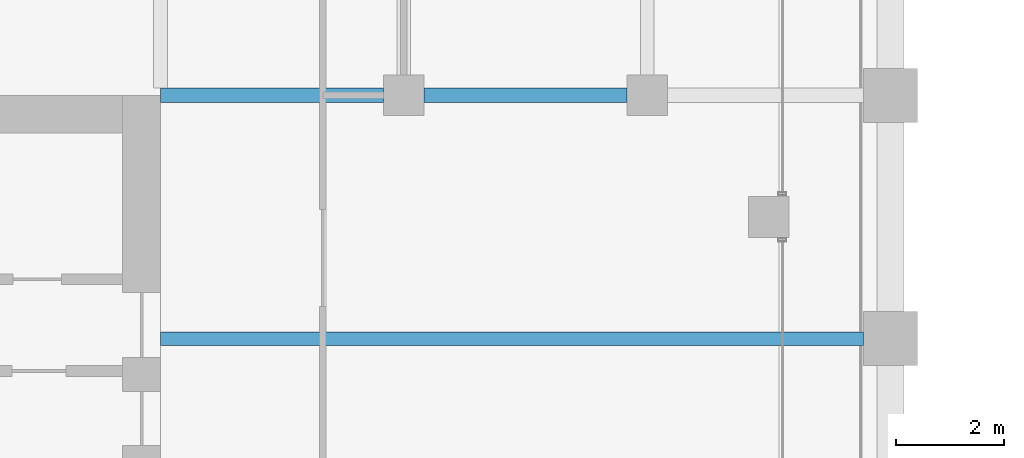
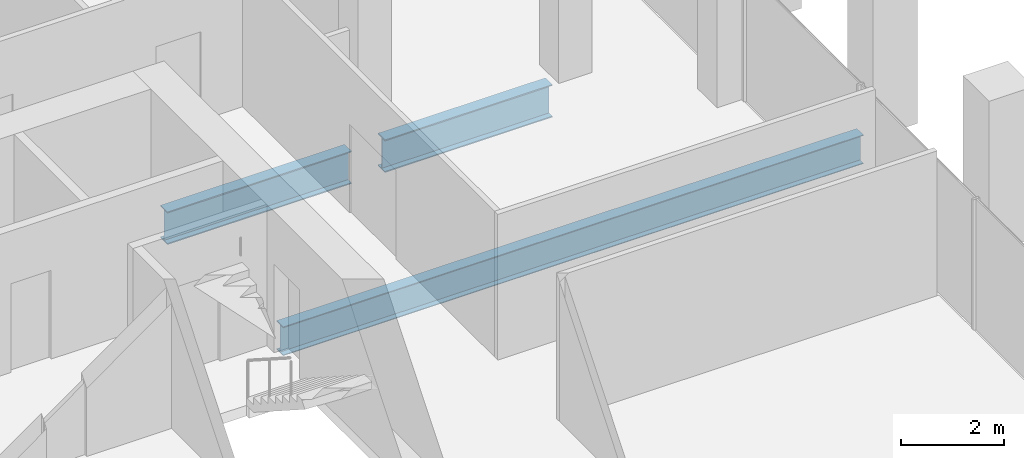
# One storey, part 18 of 46: 3 beams.
"""IFC4 building model written with IfcOpenShell, lengths in metres."""

from ifc_helpers import new_model, si_unit, direction, frame, origin, origin_2d, place, context, subcontext, project, spatial, i_section, extrude, material, material_profile, profile_set, type_object, element, save


model = new_model("IFC4")

# Units and contexts
model_context = context("Model", 3, precision=1e-05, world=origin(), true_north=direction((0.0, 1.0)))
body_context = subcontext(model_context, "Body", "Model", "MODEL_VIEW")
ifc_project = project(units=[si_unit("LENGTHUNIT", "METRE"), si_unit("AREAUNIT", "SQUARE_METRE"), si_unit("VOLUMEUNIT", "CUBIC_METRE"), si_unit("PLANEANGLEUNIT", "RADIAN"), si_unit("MASSUNIT", "GRAM", prefix="KILO")], contexts=[model_context])

# Site, building, storey
site_placement = place(None, origin())
site = spatial("IfcSite", under=ifc_project, at=site_placement, CompositionType="ELEMENT")
building_placement = place(site_placement, origin())
building = spatial("IfcBuilding", under=site, at=building_placement, Name="Altepetl Exchange Towers", CompositionType="ELEMENT")
storey_placement = place(building_placement, frame((0.0, 0.0, 120.800048828125)))
storey = spatial("IfcBuildingStorey", under=building, at=storey_placement, Name="L29", CompositionType="ELEMENT", Elevation=120.800048828125)

# Beams
ifc_material = material(Name="Steel S355", Category="steel")
ifc_material_profile_1 = material_profile(ifc_material, i_section(OverallWidth=0.25390625, OverallDepth=0.68408203125, WebThickness=0.012451171875, FlangeThickness=0.018798828125, at=origin_2d()), Name="W27X94")
ifc_profile_set_1 = profile_set([ifc_material_profile_1], Name="Steel S355")
beam_type_1 = type_object("IfcBeamType", Name="Floor beam W27X94", PredefinedType="BEAM", material=ifc_profile_set_1)
beam_1_placement = place(storey_placement, frame((58.5, 54.0, -0.491943359375), z_axis=(1.0, 0.0, 0.0), x_axis=(0.0, 1.0, 0.0)))
element("IfcBeam", 1, at=beam_1_placement, inside=storey, type_object=beam_type_1, Name="bm:A:L29:011", PredefinedType="BEAM", context=body_context, shape_type="SweptSolid", body=[
    extrude(i_section(OverallWidth=0.25390625, OverallDepth=0.68408203125, WebThickness=0.012451171875, FlangeThickness=0.018798828125, at=origin_2d()), origin(), (0.0, 0.0, 1.0), 13.0),
])
ifc_material_profile_2 = material_profile(ifc_material, i_section(OverallWidth=0.26806640625, OverallDepth=0.77392578125, WebThickness=0.015380859375, FlangeThickness=0.025390625, at=origin_2d()), Name="W30X132")
ifc_profile_set_2 = profile_set([ifc_material_profile_2], Name="Steel S355")
beam_type_2 = type_object("IfcBeamType", Name="Girder W30X132", PredefinedType="BEAM", material=ifc_profile_set_2)
beam_2_placement = place(storey_placement, frame((58.5, 58.5, -0.537109375), z_axis=(1.0, 0.0, 0.0), x_axis=(0.0, 1.0, 0.0)))
element("IfcBeam", 2, at=beam_2_placement, inside=storey, type_object=beam_type_2, Name="gd:A:L29:000", PredefinedType="BEAM", context=body_context, shape_type="SweptSolid", body=[
    extrude(i_section(OverallWidth=0.26806640625, OverallDepth=0.77392578125, WebThickness=0.015380859375, FlangeThickness=0.025390625, at=origin_2d()), origin(), (0.0, 0.0, 1.0), 4.125),
])
beam_3_placement = place(storey_placement, frame((63.375, 58.5, -0.537109375), z_axis=(1.0, 0.0, 0.0), x_axis=(0.0, 1.0, 0.0)))
element("IfcBeam", 3, at=beam_3_placement, inside=storey, type_object=beam_type_2, Name="gd:A:L29:001", PredefinedType="BEAM", context=body_context, shape_type="SweptSolid", body=[
    extrude(i_section(OverallWidth=0.26806640625, OverallDepth=0.77392578125, WebThickness=0.015380859375, FlangeThickness=0.025390625, at=origin_2d()), origin(), (0.0, 0.0, 1.0), 3.75),
])

save(model, "model.ifc")
